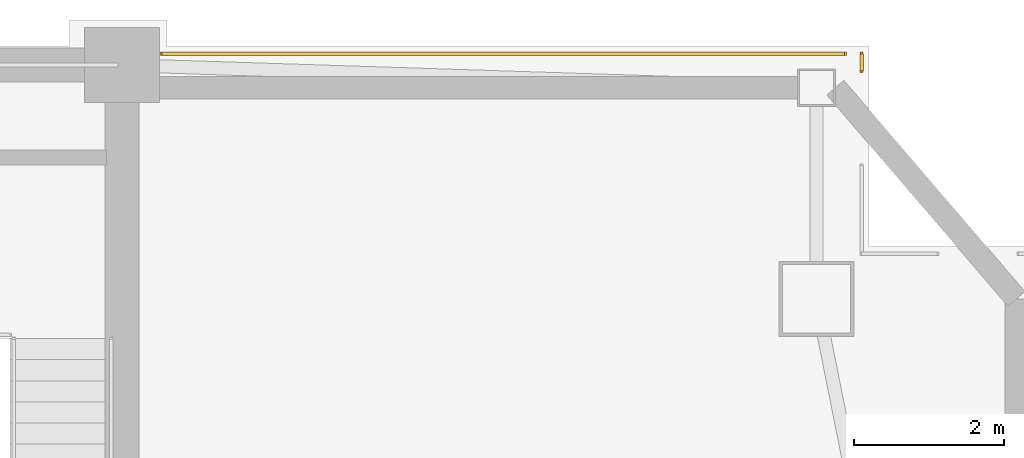
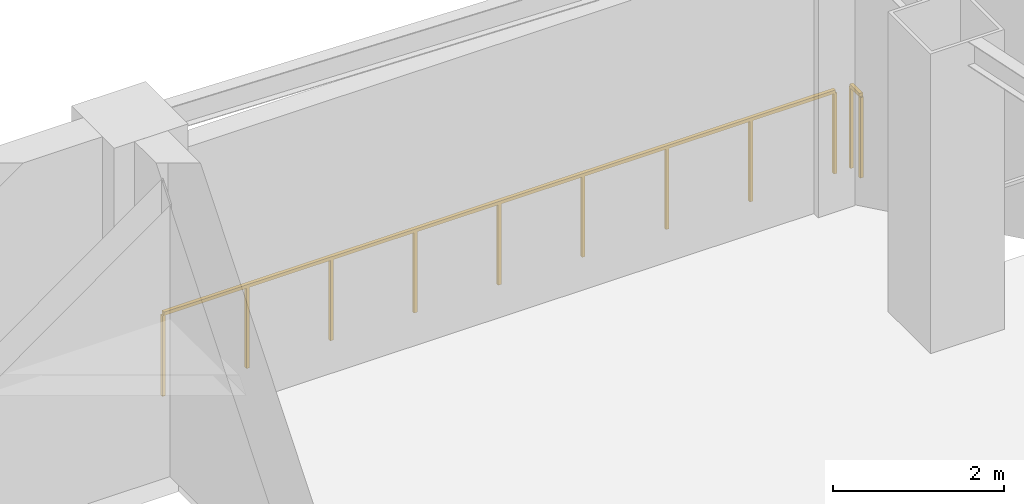
# One storey, part 9 of 9: 2 railings.
"""IFC4 building model written with IfcOpenShell, lengths in metres."""

from ifc_helpers import new_model, si_unit, direction, frame, origin, origin_2d, place, context, subcontext, project, spatial, rectangle, extrude, material, type_object, element, save


model = new_model("IFC4")

# Units and contexts
model_context = context("Model", 3, precision=1e-05, world=origin(), true_north=direction((0.0, 1.0)))
body_context = subcontext(model_context, "Body", "Model", "MODEL_VIEW")
ifc_project = project(units=[si_unit("LENGTHUNIT", "METRE"), si_unit("AREAUNIT", "SQUARE_METRE"), si_unit("VOLUMEUNIT", "CUBIC_METRE"), si_unit("PLANEANGLEUNIT", "RADIAN"), si_unit("MASSUNIT", "GRAM", prefix="KILO")], contexts=[model_context])

# Site, building, storey
site_placement = place(None, origin())
site = spatial("IfcSite", under=ifc_project, at=site_placement, CompositionType="ELEMENT")
building_placement = place(site_placement, origin())
building = spatial("IfcBuilding", under=site, at=building_placement, Name="Giltprow Tower", CompositionType="ELEMENT")
storey_placement = place(building_placement, frame((0.0, 0.0, 237.199951171875)))
storey = spatial("IfcBuildingStorey", under=building, at=storey_placement, Name="L60", CompositionType="ELEMENT", Elevation=237.199951171875)

# Railings
ifc_material = material(Name="Anodized bronze", Category="metal")
railing_type = type_object("IfcRailingType", Name="RAIL-BALC-GUARD-1200", PredefinedType="BALUSTRADE", material=ifc_material)
railing_1_placement = place(storey_placement, frame((51.0849609375, 46.699951171875, 0.0)))
element("IfcRailing", 1, at=railing_1_placement, inside=storey, type_object=railing_type, Name="L60 Corner Apron Edge Balustrade 17", PredefinedType="BALUSTRADE", context=body_context, shape_type="SweptSolid", body=[
    extrude(rectangle(XDim=0.048095703125, YDim=0.048095703125, at=origin_2d()), frame((0.0, 0.0, 1.17578125), z_axis=(1.0, 0.0, 0.0), x_axis=(0.0, 1.0, 0.0)), (0.0, 0.0, 1.0), 9.0810546875),
    extrude(rectangle(XDim=0.0419921875, YDim=0.0419921875, at=origin_2d()), origin(), (0.0, 0.0, 1.0), 1.15185546875),
    extrude(rectangle(XDim=0.0419921875, YDim=0.0419921875, at=origin_2d()), frame((1.13525390625, 0.0, 0.0)), (0.0, 0.0, 1.0), 1.15185546875),
    extrude(rectangle(XDim=0.0419921875, YDim=0.0419921875, at=origin_2d()), frame((2.270263671875, 0.0, 0.0)), (0.0, 0.0, 1.0), 1.15185546875),
    extrude(rectangle(XDim=0.0419921875, YDim=0.0419921875, at=origin_2d()), frame((3.4052734375, 0.0, 0.0)), (0.0, 0.0, 1.0), 1.15185546875),
    extrude(rectangle(XDim=0.0419921875, YDim=0.0419921875, at=origin_2d()), frame((4.54052734375, 0.0, 0.0)), (0.0, 0.0, 1.0), 1.15185546875),
    extrude(rectangle(XDim=0.0419921875, YDim=0.0419921875, at=origin_2d()), frame((5.67578125, 0.0, 0.0)), (0.0, 0.0, 1.0), 1.15185546875),
    extrude(rectangle(XDim=0.0419921875, YDim=0.0419921875, at=origin_2d()), frame((6.810791015625, 0.0, 0.0)), (0.0, 0.0, 1.0), 1.15185546875),
    extrude(rectangle(XDim=0.0419921875, YDim=0.0419921875, at=origin_2d()), frame((7.94580078125, 0.0, 0.0)), (0.0, 0.0, 1.0), 1.15185546875),
    extrude(rectangle(XDim=0.0419921875, YDim=0.0419921875, at=origin_2d()), frame((9.0810546875, 0.0, 0.0)), (0.0, 0.0, 1.0), 1.15185546875),
])
railing_2_placement = place(storey_placement, frame((60.39111328125, 46.699951171875, 0.0)))
element("IfcRailing", 2, at=railing_2_placement, inside=storey, type_object=railing_type, Name="L60 Corner Apron Edge Balustrade 18", PredefinedType="BALUSTRADE", context=body_context, shape_type="SweptSolid", body=[
    extrude(rectangle(XDim=0.048095703125, YDim=0.048095703125, at=origin_2d()), frame((0.0, 0.0, 1.17578125), z_axis=(0.0, -1.0, 0.0), x_axis=(1.0, 0.0, 0.0)), (0.0, 0.0, 1.0), 0.22802734375),
    extrude(rectangle(XDim=0.0419921875, YDim=0.0419921875, at=origin_2d()), origin(), (0.0, 0.0, 1.0), 1.15185546875),
    extrude(rectangle(XDim=0.0419921875, YDim=0.0419921875, at=origin_2d()), frame((0.0, -0.22802734375, 0.0)), (0.0, 0.0, 1.0), 1.15185546875),
])

save(model, "model.ifc")
